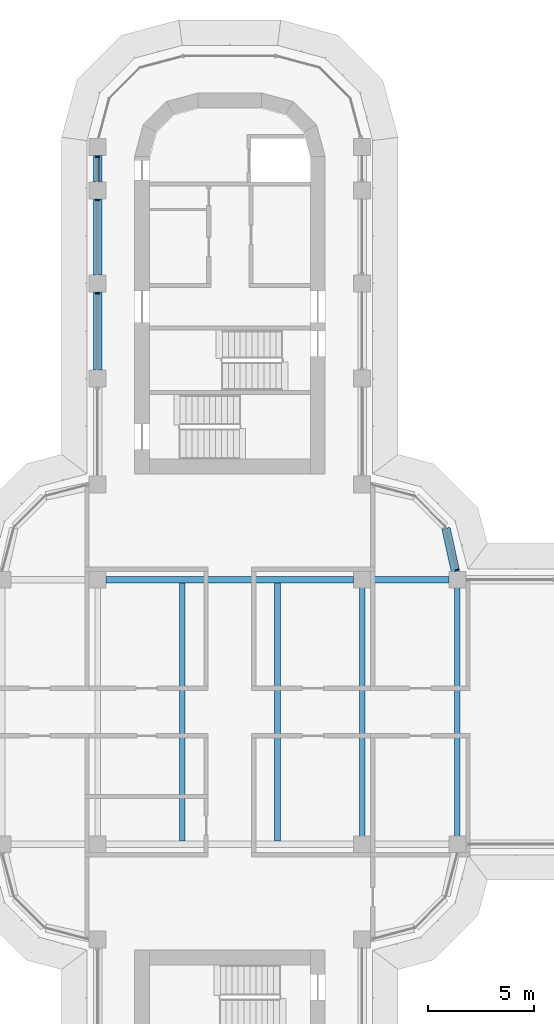
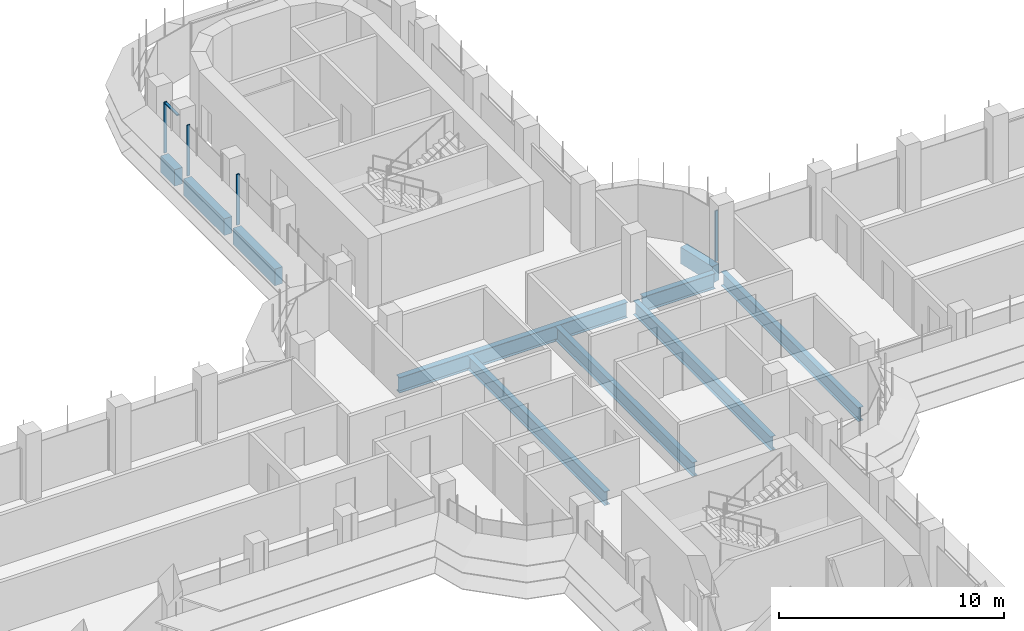
# One storey, part 7 of 19: 10 beams, 5 members, 2 elements without a shape of their own.
"""IFC4 building model written with IfcOpenShell, lengths in metres."""

from ifc_helpers import new_model, si_unit, direction, frame, origin, origin_2d, place, context, subcontext, project, spatial, polyline, rectangle, i_section, outline, extrude, source, transform, mapped, material, material_profile, profile_set, type_object, element, aggregate, save


model = new_model("IFC4")

# Units and contexts
model_context = context("Model", 3, precision=1e-05, world=origin(), true_north=direction((0.0, 1.0)))
body_context = subcontext(model_context, "Body", "Model", "MODEL_VIEW")
ifc_project = project(units=[si_unit("LENGTHUNIT", "METRE"), si_unit("AREAUNIT", "SQUARE_METRE"), si_unit("VOLUMEUNIT", "CUBIC_METRE"), si_unit("PLANEANGLEUNIT", "RADIAN"), si_unit("MASSUNIT", "GRAM", prefix="KILO")], contexts=[model_context])

# Site, building, storey
site_placement = place(None, origin())
site = spatial("IfcSite", under=ifc_project, at=site_placement, CompositionType="ELEMENT")
building_placement = place(site_placement, origin())
building = spatial("IfcBuilding", under=site, at=building_placement, Name="Zarbagh Exchange Tower", CompositionType="ELEMENT")
storey_placement = place(building_placement, frame((0.0, 0.0, 175.199951171875)))
storey = spatial("IfcBuildingStorey", under=building, at=storey_placement, Name="L42", CompositionType="ELEMENT", Elevation=175.199951171875)

# Beams
ifc_material_1 = material(Name="Steel ASTM A992 Gr 50", Category="steel")
ifc_material_profile_1 = material_profile(ifc_material_1, i_section(OverallWidth=0.26416015625, OverallDepth=0.749267578125, WebThickness=0.011962890625, FlangeThickness=0.015380859375, at=origin_2d()), Name="W30X90")
ifc_profile_set_1 = profile_set([ifc_material_profile_1], Name="Steel ASTM A992 Gr 50")
beam_type_1 = type_object("IfcBeamType", Name="Floor beam W30X90", PredefinedType="BEAM", material=ifc_profile_set_1)
for number, where, z_axis, x_axis, name in (
    (1, (-2.25, -6.10400390625, -0.524658203125), (0.0, 1.0, 0.0), (-1.0, 0.0, 0.0), "Steel floor beam"),
    (2, (2.25, -6.10400390625, -0.524658203125), (0.0, 1.0, 0.0), (-1.0, 0.0, 0.0), "Steel floor beam"),
    (3, (6.25, -6.10400390625, -0.524658203125), (0.0, 1.0, 0.0), (-1.0, 0.0, 0.0), "Steel floor beam"),
    (4, (10.75, -6.10400390625, -0.524658203125), (0.0, 1.0, 0.0), (-1.0, 0.0, 0.0), "Steel floor beam"),
):
    element("IfcBeam", number, at=place(storey_placement, frame(where, z_axis=z_axis, x_axis=x_axis)), inside=storey, type_object=beam_type_1, Name=name, PredefinedType="BEAM", context=body_context, shape_type="SweptSolid", body=[
        extrude(i_section(OverallWidth=0.26416015625, OverallDepth=0.749267578125, WebThickness=0.011962890625, FlangeThickness=0.015380859375, at=origin_2d()), origin(), (0.0, 0.0, 1.0), 12.2080078125),
    ])
ifc_material_profile_2 = material_profile(ifc_material_1, i_section(OverallWidth=0.2919921875, OverallDepth=0.835693359375, WebThickness=0.013916015625, FlangeThickness=0.018798828125, at=origin_2d()), Name="W33X118")
ifc_profile_set_2 = profile_set([ifc_material_profile_2], Name="Steel ASTM A992 Gr 50")
beam_type_2 = type_object("IfcBeamType", Name="Floor girder W33X118", PredefinedType="BEAM", material=ifc_profile_set_2)
beam_1_placement = place(storey_placement, frame((-5.85009765625, 6.25, -0.56787109375), z_axis=(1.0, 0.0, 0.0), x_axis=(0.0, 1.0, 0.0)))
element("IfcBeam", 5, at=beam_1_placement, inside=storey, type_object=beam_type_2, Name="Steel girder", PredefinedType="BEAM", context=body_context, shape_type="SweptSolid", body=[
    extrude(i_section(OverallWidth=0.2919921875, OverallDepth=0.835693359375, WebThickness=0.013916015625, FlangeThickness=0.018798828125, at=origin_2d()), origin(), (0.0, 0.0, 1.0), 11.7001953125),
])
beam_2_placement = place(storey_placement, frame((6.64990234375, 6.25, -0.56787109375), z_axis=(1.0, 0.0, 0.0), x_axis=(0.0, 1.0, 0.0)))
element("IfcBeam", 6, at=beam_2_placement, inside=storey, type_object=beam_type_2, Name="Steel girder", PredefinedType="BEAM", context=body_context, shape_type="SweptSolid", body=[
    extrude(i_section(OverallWidth=0.2919921875, OverallDepth=0.835693359375, WebThickness=0.013916015625, FlangeThickness=0.018798828125, at=origin_2d()), origin(), (0.0, 0.0, 1.0), 3.7001953125),
])
ifc_material_2 = material(Name="Concrete C50/60", Category="concrete")
ifc_material_profile_3 = material_profile(ifc_material_2, rectangle(XDim=0.39990234375, YDim=0.89990234375, at=origin_2d()), Name="RC spandrel beam 400 x 900 C50/60")
ifc_profile_set_3 = profile_set([ifc_material_profile_3], Name="Concrete C50/60")
beam_type_3 = type_object("IfcBeamType", Name="RC spandrel beam 400 x 900 C50/60", PredefinedType="SPANDREL", material=ifc_profile_set_3)
beam_3_placement = place(storey_placement, frame((-6.25, 16.14990234375, -0.599853515625), z_axis=(0.0, 1.0, 0.0), x_axis=(-1.0, 0.0, 0.0)))
element("IfcBeam", 7, at=beam_3_placement, inside=storey, type_object=beam_type_3, Name="RC spandrel beam", PredefinedType="SPANDREL", context=body_context, shape_type="SweptSolid", body=[
    extrude(rectangle(XDim=0.39990234375, YDim=0.89990234375, at=origin_2d()), origin(), (0.0, 0.0, 1.0), 3.7001953125),
])
beam_4_placement = place(storey_placement, frame((-6.25, 20.64990234375, -0.599853515625), z_axis=(0.0, 1.0, 0.0), x_axis=(-1.0, 0.0, 0.0)))
element("IfcBeam", 8, at=beam_4_placement, inside=storey, type_object=beam_type_3, Name="RC spandrel beam", PredefinedType="SPANDREL", context=body_context, shape_type="SweptSolid", body=[
    extrude(rectangle(XDim=0.39990234375, YDim=0.89990234375, at=origin_2d()), origin(), (0.0, 0.0, 1.0), 3.60009765625),
])
beam_5_placement = place(storey_placement, frame((-6.25, 25.050048828125, -0.599853515625), z_axis=(0.0, 1.0, 0.0), x_axis=(-1.0, 0.0, 0.0)))
element("IfcBeam", 9, at=beam_5_placement, inside=storey, type_object=beam_type_3, Name="RC spandrel beam", PredefinedType="SPANDREL", context=body_context, shape_type="SweptSolid", body=[
    extrude(rectangle(XDim=0.39990234375, YDim=0.89990234375, at=origin_2d()), origin(), (0.0, 0.0, 1.0), 1.25),
])
beam_6_placement = place(storey_placement, frame((10.21142578125, 8.68408203125, -0.599853515625), z_axis=(0.216041061437, -0.976384278741, 0.0), x_axis=(0.976384278741, 0.216041061437, 0.0)))
element("IfcBeam", 10, at=beam_6_placement, inside=storey, type_object=beam_type_3, Name="RC spandrel beam", PredefinedType="SPANDREL", context=body_context, shape_type="SweptSolid", body=[
    extrude(rectangle(XDim=0.39990234375, YDim=0.89990234375, at=origin_2d()), origin(), (0.0, 0.0, 1.0), 2.0927734375),
])

# Curtain wall, member
ifc_material_3 = material(Name="Anodised aluminium frame and glazing", Category="aluminium")
curtain_wall_type = type_object("IfcCurtainWallType", Name="CWB Ribbon glazing, upper zones", PredefinedType="NOTDEFINED", material=ifc_material_3)
curtain_wall_1_placement = place(storey_placement, origin())
curtain_wall_1 = element("IfcCurtainWall", 11, at=curtain_wall_1_placement, inside=storey, type_object=curtain_wall_type, Name="CWB17 curtain wall", PredefinedType="NOTDEFINED")
ifc_material_4 = material(Name="Anodised aluminium frame", Category="aluminium")
member_type_1 = type_object("IfcMemberType", Name="MUB Mullion, anodised aluminium frame", PredefinedType="MULLION", material=ifc_material_4)
shared_shape_1 = source(origin(), body_context, "Body", "SweptSolid", [
    extrude(outline(polyline([(0.0, -0.080078125), (0.06005859375, -0.080078125), (0.06005859375, 0.080078125), (0.0, 0.080078125), (0.0, -0.080078125)])), origin(), (0.0, 0.0, 1.0), 2.75),
])
placement = place(storey_placement, origin())
member_1 = element("IfcMember", 12, at=placement, type_object=member_type_1, Name="CWB17 mullion 1.1", PredefinedType="MULLION", context=body_context, shape_type="MappedRepresentation", body=[
    mapped(shared_shape_1, transform((10.74853515625, 6.68994140625, 0.0), x_axis=(-0.258824779902, 0.965924289636, 0.0), y_axis=(-0.965924289636, -0.258824779902, 0.0), z_axis=(0.0, 0.0, 1.0))),
])
aggregate(curtain_wall_1, [member_1])

# Curtain wall, members
curtain_wall_2_placement = place(storey_placement, origin())
curtain_wall_2 = element("IfcCurtainWall", 13, at=curtain_wall_2_placement, inside=storey, type_object=curtain_wall_type, Name="CWB28 curtain wall", PredefinedType="NOTDEFINED")
member_2 = element("IfcMember", 14, at=placement, type_object=member_type_1, Name="CWB28 mullion 1.1", PredefinedType="MULLION", context=body_context, shape_type="MappedRepresentation", body=[
    mapped(shared_shape_1, transform((-6.25, 26.260009765625, 0.0), x_axis=(0.0, -1.0, 0.0), y_axis=(1.0, 0.0, 0.0), z_axis=(0.0, 0.0, 1.0))),
])
member_3 = element("IfcMember", 15, at=placement, type_object=member_type_1, Name="CWB28 mullion 2.1", PredefinedType="MULLION", context=body_context, shape_type="MappedRepresentation", body=[
    mapped(shared_shape_1, transform((-6.25, 24.2099609375, 0.0), x_axis=(0.0, -1.0, 0.0), y_axis=(1.0, 0.0, 0.0), z_axis=(0.0, 0.0, 1.0))),
])
member_4 = element("IfcMember", 16, at=placement, type_object=member_type_1, Name="CWB28 mullion 3.1", PredefinedType="MULLION", context=body_context, shape_type="MappedRepresentation", body=[
    mapped(shared_shape_1, transform((-6.25, 19.81005859375, 0.0), x_axis=(0.0, -1.0, 0.0), y_axis=(1.0, 0.0, 0.0), z_axis=(0.0, 0.0, 1.0))),
])
member_type_2 = type_object("IfcMemberType", Name="TRB Transom, anodised aluminium frame", PredefinedType="USERDEFINED", material=ifc_material_4)
shared_shape_2 = source(origin(), body_context, "Body", "SweptSolid", [
    extrude(outline(polyline([(-0.06005859375, -0.06005859375), (0.0, -0.06005859375), (0.0, 0.06005859375), (-0.06005859375, 0.06005859375), (-0.06005859375, -0.06005859375)])), origin(), (0.0, 0.0, 1.0), 1.110107421875),
])
member_5 = element("IfcMember", 17, at=placement, type_object=member_type_2, Name="CWB28 transom 1.1", ObjectType="TRANSOM", PredefinedType="USERDEFINED", context=body_context, shape_type="MappedRepresentation", body=[
    mapped(shared_shape_2, transform((-6.25, 26.199951171875, 2.75), x_axis=(0.0, 0.0, 1.0), y_axis=(-1.0, 0.0, 0.0), z_axis=(0.0, -1.0, 0.0))),
])
aggregate(curtain_wall_2, [member_2, member_5, member_3, member_4])

save(model, "model.ifc")
